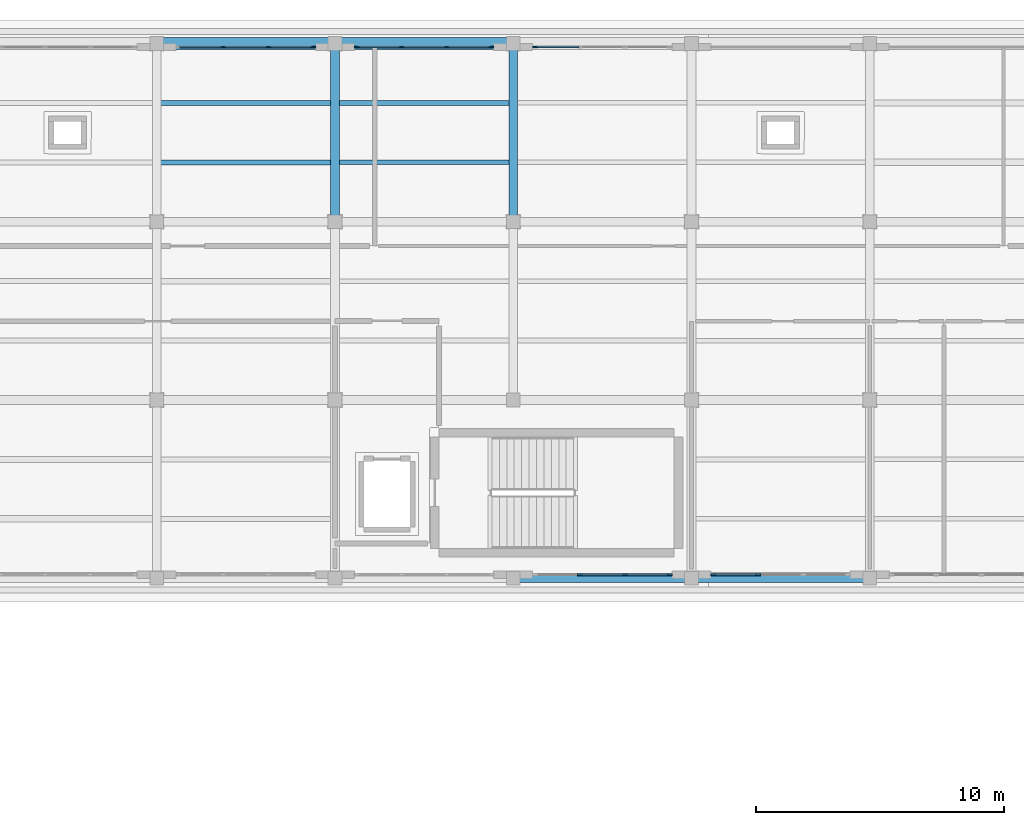
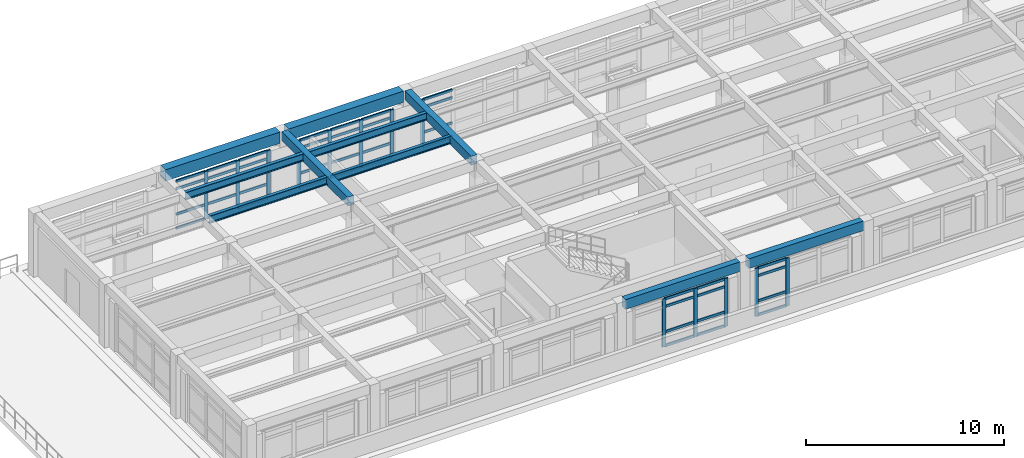
# One storey, part 4 of 21: 53 members, 10 beams, 5 elements without a shape of their own.
"""IFC4 building model written with IfcOpenShell, lengths in metres."""

from ifc_helpers import new_model, si_unit, direction, frame, origin, origin_2d, place, context, subcontext, project, spatial, rectangle, i_section, extrude, material, layer, layer_set, material_profile, profile_set, type_object, element, aggregate, save


model = new_model("IFC4")

# Units and contexts
model_context = context("Model", 3, precision=1e-05, world=origin(), true_north=direction((0.0, 1.0)))
body_context = subcontext(model_context, "Body", "Model", "MODEL_VIEW")
ifc_project = project(units=[si_unit("LENGTHUNIT", "METRE"), si_unit("AREAUNIT", "SQUARE_METRE"), si_unit("VOLUMEUNIT", "CUBIC_METRE"), si_unit("PLANEANGLEUNIT", "RADIAN"), si_unit("MASSUNIT", "GRAM", prefix="KILO")], contexts=[model_context])

# Site, building, storey
site_placement = place(None, origin())
site = spatial("IfcSite", under=ifc_project, at=site_placement, CompositionType="ELEMENT")
building_placement = place(site_placement, origin())
building = spatial("IfcBuilding", under=site, at=building_placement, Name="Solenvale Faculty of Natural Sciences", CompositionType="ELEMENT")
storey_placement = place(building_placement, frame((0.0, 0.0, 31.199951171875)))
storey = spatial("IfcBuildingStorey", under=building, at=storey_placement, Name="L07", CompositionType="ELEMENT", Elevation=31.199951171875)

# Beams
ifc_material_1 = material(Name="Concrete 40 MPa", Category="concrete")
ifc_material_profile_1 = material_profile(ifc_material_1, rectangle(XDim=0.35009765625, YDim=0.550048828125, at=origin_2d()), Name="RC-BM-350x550")
ifc_profile_set_1 = profile_set([ifc_material_profile_1], Name="Concrete 40 MPa")
beam_type_1 = type_object("IfcBeamType", Name="BM-RC-350x550", PredefinedType="BEAM", material=ifc_profile_set_1)
for number, where, z_axis, x_axis, name in (
    (1, (100.800048828125, 108.2548828125, 3.64501953125), (0.0, 1.0, 0.0), (-1.0, 0.0, 0.0), "L07 Y-Girder X100.8 (108.0..115.2)"),
    (2, (108.0, 108.2548828125, 3.64501953125), (0.0, 1.0, 0.0), (-1.0, 0.0, 0.0), "L07 Y-Girder X108.0 (108.0..115.2)"),
):
    element("IfcBeam", number, at=place(storey_placement, frame(where, z_axis=z_axis, x_axis=x_axis)), inside=storey, type_object=beam_type_1, Name=name, PredefinedType="BEAM", context=body_context, shape_type="SweptSolid", body=[
        extrude(rectangle(XDim=0.35009765625, YDim=0.550048828125, at=origin_2d()), origin(), (0.0, 0.0, 1.0), 6.690185546875),
    ])
ifc_material_profile_2 = material_profile(ifc_material_1, rectangle(XDim=0.35009765625, YDim=0.60009765625, at=origin_2d()), Name="RC-BM-350x600")
ifc_profile_set_2 = profile_set([ifc_material_profile_2], Name="Concrete 40 MPa")
beam_type_2 = type_object("IfcBeamType", Name="BM-RC-350x600", PredefinedType="BEAM", material=ifc_profile_set_2)
beam_1_placement = place(storey_placement, frame((108.2548828125, 93.60009765625, 3.6201171875), z_axis=(1.0, 0.0, 0.0), x_axis=(0.0, 1.0, 0.0)))
element("IfcBeam", 3, at=beam_1_placement, inside=storey, type_object=beam_type_2, Name="L07 X-Girder Y93.6 (108.0..115.2)", PredefinedType="BEAM", context=body_context, shape_type="SweptSolid", body=[
    extrude(rectangle(XDim=0.35009765625, YDim=0.60009765625, at=origin_2d()), origin(), (0.0, 0.0, 1.0), 6.690185546875),
])
beam_2_placement = place(storey_placement, frame((115.455078125, 93.60009765625, 3.6201171875), z_axis=(1.0, 0.0, 0.0), x_axis=(0.0, 1.0, 0.0)))
element("IfcBeam", 4, at=beam_2_placement, inside=storey, type_object=beam_type_2, Name="L07 X-Girder Y93.6 (115.2..122.4)", PredefinedType="BEAM", context=body_context, shape_type="SweptSolid", body=[
    extrude(rectangle(XDim=0.35009765625, YDim=0.60009765625, at=origin_2d()), origin(), (0.0, 0.0, 1.0), 6.68994140625),
])
ifc_material_2 = material(Name="Precast concrete 40 MPa", Category="concrete")
ifc_material_profile_3 = material_profile(ifc_material_2, rectangle(XDim=0.5, YDim=0.699951171875, at=origin_2d()), Name="RC-BM-500x700")
ifc_profile_set_3 = profile_set([ifc_material_profile_3], Name="Precast concrete 40 MPa")
beam_type_3 = type_object("IfcBeamType", Name="BM-SPN-PRC-700", PredefinedType="SPANDREL", material=ifc_profile_set_3)
beam_3_placement = place(storey_placement, frame((93.85498046875, 115.199951171875, 3.570068359375), z_axis=(1.0, 0.0, 0.0), x_axis=(0.0, 1.0, 0.0)))
element("IfcBeam", 5, at=beam_3_placement, inside=storey, type_object=beam_type_3, Name="L07 X-Girder Y115.2 (93.6..100.8)", PredefinedType="SPANDREL", context=body_context, shape_type="SweptSolid", body=[
    extrude(rectangle(XDim=0.5, YDim=0.699951171875, at=origin_2d()), origin(), (0.0, 0.0, 1.0), 6.68994140625),
])
beam_4_placement = place(storey_placement, frame((101.054931640625, 115.199951171875, 3.570068359375), z_axis=(1.0, 0.0, 0.0), x_axis=(0.0, 1.0, 0.0)))
element("IfcBeam", 6, at=beam_4_placement, inside=storey, type_object=beam_type_3, Name="L07 X-Girder Y115.2 (100.8..108.0)", PredefinedType="SPANDREL", context=body_context, shape_type="SweptSolid", body=[
    extrude(rectangle(XDim=0.5, YDim=0.699951171875, at=origin_2d()), origin(), (0.0, 0.0, 1.0), 6.690185546875),
])
ifc_material_3 = material(Name="Steel S355", Category="steel")
ifc_material_profile_4 = material_profile(ifc_material_3, i_section(OverallWidth=0.194091796875, OverallDepth=0.468994140625, WebThickness=0.0126953125, FlangeThickness=0.0205078125, FilletRadius=0.01806640625, at=origin_2d()), Name="W460x106")
ifc_profile_set_4 = profile_set([ifc_material_profile_4], Name="Steel S355")
beam_type_4 = type_object("IfcBeamType", Name="BM-STL-W460x106", PredefinedType="JOIST", material=ifc_profile_set_4)
for number, where, z_axis, x_axis, name in (
    (7, (93.7548828125, 110.39990234375, 3.685546875), (1.0, 0.0, 0.0), (0.0, 1.0, 0.0), "L07 Composite Floor Joist (14,16).1"),
    (8, (93.7548828125, 112.800048828125, 3.685546875), (1.0, 0.0, 0.0), (0.0, 1.0, 0.0), "L07 Composite Floor Joist (14,16).2"),
):
    element("IfcBeam", number, at=place(storey_placement, frame(where, z_axis=z_axis, x_axis=x_axis)), inside=storey, type_object=beam_type_4, Name=name, PredefinedType="JOIST", context=body_context, shape_type="SweptSolid", body=[
        extrude(i_section(OverallWidth=0.194091796875, OverallDepth=0.468994140625, WebThickness=0.0126953125, FlangeThickness=0.0205078125, FilletRadius=0.01806640625, at=origin_2d()), origin(), (0.0, 0.0, 1.0), 6.89013671875),
    ])
ifc_material_profile_5 = material_profile(ifc_material_3, i_section(OverallWidth=0.19091796875, OverallDepth=0.4599609375, WebThickness=0.010009765625, FlangeThickness=0.01611328125, FilletRadius=0.01806640625, at=origin_2d()), Name="W460x82")
ifc_profile_set_5 = profile_set([ifc_material_profile_5], Name="Steel S355")
beam_type_5 = type_object("IfcBeamType", Name="BM-STL-W460x82", PredefinedType="JOIST", material=ifc_profile_set_5)
for number, where, z_axis, x_axis, name in (
    (9, (100.955078125, 110.39990234375, 3.68994140625), (1.0, 0.0, 0.0), (0.0, 1.0, 0.0), "L07 Composite Floor Joist (15,16).1"),
    (10, (100.955078125, 112.800048828125, 3.68994140625), (1.0, 0.0, 0.0), (0.0, 1.0, 0.0), "L07 Composite Floor Joist (15,16).2"),
):
    element("IfcBeam", number, at=place(storey_placement, frame(where, z_axis=z_axis, x_axis=x_axis)), inside=storey, type_object=beam_type_5, Name=name, PredefinedType="JOIST", context=body_context, shape_type="SweptSolid", body=[
        extrude(i_section(OverallWidth=0.19091796875, OverallDepth=0.4599609375, WebThickness=0.010009765625, FlangeThickness=0.01611328125, FilletRadius=0.01806640625, at=origin_2d()), origin(), (0.0, 0.0, 1.0), 6.889892578125),
    ])

# Curtain wall, member
ifc_material_4 = material(Name="Anodised bronze aluminium", Category="aluminium")
ifc_layer = layer(ifc_material_4, 0.179931640625)
ifc_layer_set = layer_set([ifc_layer], Name="Anodised bronze aluminium")
curtain_wall_type = type_object("IfcCurtainWallType", Name="CW-TWR-MOD", PredefinedType="USERDEFINED", material=ifc_layer_set)
curtain_wall_1_placement = place(storey_placement, origin())
curtain_wall_1 = element("IfcCurtainWall", 11, at=curtain_wall_1_placement, inside=storey, type_object=curtain_wall_type, Name="L07 Curtain Wall CW-L07-P1-E2-B6", ObjectType="UNITISED CURTAIN WALL", PredefinedType="USERDEFINED")
ifc_material_profile_6 = material_profile(ifc_material_4, rectangle(XDim=0.074951171875, YDim=0.2099609375, at=origin_2d()), Name="ALU-MUL-75x210")
ifc_profile_set_6 = profile_set([ifc_material_profile_6], Name="Anodised bronze aluminium")
member_type_1 = type_object("IfcMemberType", Name="CWM-ALU-75x210", PredefinedType="MULLION", material=ifc_profile_set_6)
member_1_placement = place(storey_placement, frame((108.887451171875, 115.0576171875, 0.0), z_axis=(0.0, 0.0, 1.0), x_axis=(0.0, -1.0, 0.0)))
member_1 = element("IfcMember", 12, at=member_1_placement, type_object=member_type_1, Name="CW-04 mullion 4", PredefinedType="MULLION", context=body_context, shape_type="SweptSolid", body=[
    extrude(rectangle(XDim=0.074951171875, YDim=0.2099609375, at=origin_2d()), origin(), (0.0, 0.0, 1.0), 2.9599609375),
])

# Curtain wall, members
curtain_wall_2_placement = place(storey_placement, origin())
curtain_wall_2 = element("IfcCurtainWall", 13, at=curtain_wall_2_placement, inside=storey, type_object=curtain_wall_type, Name="L07 Curtain Wall CW-L07-P1-E2-B7", ObjectType="UNITISED CURTAIN WALL", PredefinedType="USERDEFINED")
member_2_placement = place(storey_placement, frame((107.112548828125, 115.0576171875, 0.0), z_axis=(0.0, 0.0, 1.0), x_axis=(0.0, -1.0, 0.0)))
member_2 = element("IfcMember", 14, at=member_2_placement, type_object=member_type_1, Name="CW-04 mullion 1", PredefinedType="MULLION", context=body_context, shape_type="SweptSolid", body=[
    extrude(rectangle(XDim=0.074951171875, YDim=0.2099609375, at=origin_2d()), origin(), (0.0, 0.0, 1.0), 2.9599609375),
])
member_3_placement = place(storey_placement, frame((105.316650390625, 115.0576171875, 0.0), z_axis=(0.0, 0.0, 1.0), x_axis=(0.0, -1.0, 0.0)))
member_3 = element("IfcMember", 15, at=member_3_placement, type_object=member_type_1, Name="CW-04 mullion 2", PredefinedType="MULLION", context=body_context, shape_type="SweptSolid", body=[
    extrude(rectangle(XDim=0.074951171875, YDim=0.2099609375, at=origin_2d()), origin(), (0.0, 0.0, 1.0), 2.9599609375),
])
member_4_placement = place(storey_placement, frame((103.4833984375, 115.0576171875, 0.0), z_axis=(0.0, 0.0, 1.0), x_axis=(0.0, -1.0, 0.0)))
member_4 = element("IfcMember", 16, at=member_4_placement, type_object=member_type_1, Name="CW-04 mullion 3", PredefinedType="MULLION", context=body_context, shape_type="SweptSolid", body=[
    extrude(rectangle(XDim=0.074951171875, YDim=0.2099609375, at=origin_2d()), origin(), (0.0, 0.0, 1.0), 2.9599609375),
])
member_5_placement = place(storey_placement, frame((101.6875, 115.0576171875, 0.0), z_axis=(0.0, 0.0, 1.0), x_axis=(0.0, -1.0, 0.0)))
member_5 = element("IfcMember", 17, at=member_5_placement, type_object=member_type_1, Name="CW-04 mullion 4", PredefinedType="MULLION", context=body_context, shape_type="SweptSolid", body=[
    extrude(rectangle(XDim=0.074951171875, YDim=0.2099609375, at=origin_2d()), origin(), (0.0, 0.0, 1.0), 2.9599609375),
])

curtain_wall_3_placement = place(storey_placement, origin())
curtain_wall_3 = element("IfcCurtainWall", 18, at=curtain_wall_3_placement, inside=storey, type_object=curtain_wall_type, Name="L07 Curtain Wall CW-L07-P1-E2-B8", ObjectType="UNITISED CURTAIN WALL", PredefinedType="USERDEFINED")
member_6_placement = place(storey_placement, frame((99.91259765625, 115.0576171875, 0.0), z_axis=(0.0, 0.0, 1.0), x_axis=(0.0, -1.0, 0.0)))
member_6 = element("IfcMember", 19, at=member_6_placement, type_object=member_type_1, Name="CW-04 mullion 1", PredefinedType="MULLION", context=body_context, shape_type="SweptSolid", body=[
    extrude(rectangle(XDim=0.074951171875, YDim=0.2099609375, at=origin_2d()), origin(), (0.0, 0.0, 1.0), 2.9599609375),
])
member_7_placement = place(storey_placement, frame((98.11669921875, 115.0576171875, 0.0), z_axis=(0.0, 0.0, 1.0), x_axis=(0.0, -1.0, 0.0)))
member_7 = element("IfcMember", 20, at=member_7_placement, type_object=member_type_1, Name="CW-04 mullion 2", PredefinedType="MULLION", context=body_context, shape_type="SweptSolid", body=[
    extrude(rectangle(XDim=0.074951171875, YDim=0.2099609375, at=origin_2d()), origin(), (0.0, 0.0, 1.0), 2.9599609375),
])
member_8_placement = place(storey_placement, frame((96.283447265625, 115.0576171875, 0.0), z_axis=(0.0, 0.0, 1.0), x_axis=(0.0, -1.0, 0.0)))
member_8 = element("IfcMember", 21, at=member_8_placement, type_object=member_type_1, Name="CW-04 mullion 3", PredefinedType="MULLION", context=body_context, shape_type="SweptSolid", body=[
    extrude(rectangle(XDim=0.074951171875, YDim=0.2099609375, at=origin_2d()), origin(), (0.0, 0.0, 1.0), 2.9599609375),
])

curtain_wall_4_placement = place(storey_placement, origin())
curtain_wall_4 = element("IfcCurtainWall", 22, at=curtain_wall_4_placement, inside=storey, type_object=curtain_wall_type, Name="L07 Curtain Wall CW-L07-P1-E4-B4", ObjectType="UNITISED CURTAIN WALL", PredefinedType="USERDEFINED")
member_9_placement = place(storey_placement, frame((110.683349609375, 93.742431640625, 0.0), z_axis=(0.0, 0.0, 1.0), x_axis=(0.0, 1.0, 0.0)))
member_9 = element("IfcMember", 23, at=member_9_placement, type_object=member_type_1, Name="CW-04 mullion 2", PredefinedType="MULLION", context=body_context, shape_type="SweptSolid", body=[
    extrude(rectangle(XDim=0.074951171875, YDim=0.2099609375, at=origin_2d()), origin(), (0.0, 0.0, 1.0), 2.9599609375),
])
member_10_placement = place(storey_placement, frame((112.5166015625, 93.742431640625, 0.0), z_axis=(0.0, 0.0, 1.0), x_axis=(0.0, 1.0, 0.0)))
member_10 = element("IfcMember", 24, at=member_10_placement, type_object=member_type_1, Name="CW-04 mullion 3", PredefinedType="MULLION", context=body_context, shape_type="SweptSolid", body=[
    extrude(rectangle(XDim=0.074951171875, YDim=0.2099609375, at=origin_2d()), origin(), (0.0, 0.0, 1.0), 2.9599609375),
])
member_11_placement = place(storey_placement, frame((114.3125, 93.742431640625, 0.0), z_axis=(0.0, 0.0, 1.0), x_axis=(0.0, 1.0, 0.0)))
member_11 = element("IfcMember", 25, at=member_11_placement, type_object=member_type_1, Name="CW-04 mullion 4", PredefinedType="MULLION", context=body_context, shape_type="SweptSolid", body=[
    extrude(rectangle(XDim=0.074951171875, YDim=0.2099609375, at=origin_2d()), origin(), (0.0, 0.0, 1.0), 2.9599609375),
])

curtain_wall_5_placement = place(storey_placement, origin())
curtain_wall_5 = element("IfcCurtainWall", 26, at=curtain_wall_5_placement, inside=storey, type_object=curtain_wall_type, Name="L07 Curtain Wall CW-L07-P1-E4-B5", ObjectType="UNITISED CURTAIN WALL", PredefinedType="USERDEFINED")
member_12_placement = place(storey_placement, frame((116.08740234375, 93.742431640625, 0.0), z_axis=(0.0, 0.0, 1.0), x_axis=(0.0, 1.0, 0.0)))
member_12 = element("IfcMember", 27, at=member_12_placement, type_object=member_type_1, Name="CW-04 mullion 1", PredefinedType="MULLION", context=body_context, shape_type="SweptSolid", body=[
    extrude(rectangle(XDim=0.074951171875, YDim=0.2099609375, at=origin_2d()), origin(), (0.0, 0.0, 1.0), 2.9599609375),
])
member_13_placement = place(storey_placement, frame((117.88330078125, 93.742431640625, 0.0), z_axis=(0.0, 0.0, 1.0), x_axis=(0.0, 1.0, 0.0)))
member_13 = element("IfcMember", 28, at=member_13_placement, type_object=member_type_1, Name="CW-04 mullion 2", PredefinedType="MULLION", context=body_context, shape_type="SweptSolid", body=[
    extrude(rectangle(XDim=0.074951171875, YDim=0.2099609375, at=origin_2d()), origin(), (0.0, 0.0, 1.0), 2.9599609375),
])

# Member
ifc_material_profile_7 = material_profile(ifc_material_4, rectangle(XDim=0.074951171875, YDim=0.155029296875, at=origin_2d()), Name="ALU-TRN-75x155")
ifc_profile_set_7 = profile_set([ifc_material_profile_7], Name="Anodised bronze aluminium")
member_type_2 = type_object("IfcMemberType", Name="CWT-ALU-75x155", PredefinedType="USERDEFINED", material=ifc_profile_set_7)
member_14_placement = place(storey_placement, frame((110.645751953125, 115.0576171875, 0.03759765625), z_axis=(-1.0, 0.0, 0.0), x_axis=(0.0, -1.0, 0.0)))
member_14 = element("IfcMember", 29, at=member_14_placement, type_object=member_type_2, Name="CW-04 transom 3.1", ObjectType="TRANSOM", PredefinedType="USERDEFINED", context=body_context, shape_type="SweptSolid", body=[
    extrude(rectangle(XDim=0.074951171875, YDim=0.155029296875, at=origin_2d()), origin(), (0.0, 0.0, 1.0), 1.720703125),
])

member_15_placement = place(storey_placement, frame((110.645751953125, 115.0576171875, 0.900146484375), z_axis=(-1.0, 0.0, 0.0), x_axis=(0.0, -1.0, 0.0)))
member_15 = element("IfcMember", 30, at=member_15_placement, type_object=member_type_2, Name="CW-04 transom 3.2", ObjectType="TRANSOM", PredefinedType="USERDEFINED", context=body_context, shape_type="SweptSolid", body=[
    extrude(rectangle(XDim=0.074951171875, YDim=0.155029296875, at=origin_2d()), origin(), (0.0, 0.0, 1.0), 1.720703125),
])

member_16_placement = place(storey_placement, frame((110.645751953125, 115.0576171875, 2.4599609375), z_axis=(-1.0, 0.0, 0.0), x_axis=(0.0, -1.0, 0.0)))
member_16 = element("IfcMember", 31, at=member_16_placement, type_object=member_type_2, Name="CW-04 transom 3.3", ObjectType="TRANSOM", PredefinedType="USERDEFINED", context=body_context, shape_type="SweptSolid", body=[
    extrude(rectangle(XDim=0.074951171875, YDim=0.155029296875, at=origin_2d()), origin(), (0.0, 0.0, 1.0), 1.720703125),
])

member_17_placement = place(storey_placement, frame((110.645751953125, 115.0576171875, 2.922607421875), z_axis=(-1.0, 0.0, 0.0), x_axis=(0.0, -1.0, 0.0)))
member_17 = element("IfcMember", 32, at=member_17_placement, type_object=member_type_2, Name="CW-04 transom 3.4", ObjectType="TRANSOM", PredefinedType="USERDEFINED", context=body_context, shape_type="SweptSolid", body=[
    extrude(rectangle(XDim=0.074951171875, YDim=0.155029296875, at=origin_2d()), origin(), (0.0, 0.0, 1.0), 1.720703125),
])

aggregate(curtain_wall_1, [member_1, member_14, member_15, member_16, member_17])

member_18_placement = place(storey_placement, frame((107.074951171875, 115.0576171875, 0.03759765625), z_axis=(-1.0, 0.0, 0.0), x_axis=(0.0, -1.0, 0.0)))
member_18 = element("IfcMember", 33, at=member_18_placement, type_object=member_type_2, Name="CW-04 transom 1.1", ObjectType="TRANSOM", PredefinedType="USERDEFINED", context=body_context, shape_type="SweptSolid", body=[
    extrude(rectangle(XDim=0.074951171875, YDim=0.155029296875, at=origin_2d()), origin(), (0.0, 0.0, 1.0), 1.720703125),
])

member_19_placement = place(storey_placement, frame((107.074951171875, 115.0576171875, 0.900146484375), z_axis=(-1.0, 0.0, 0.0), x_axis=(0.0, -1.0, 0.0)))
member_19 = element("IfcMember", 34, at=member_19_placement, type_object=member_type_2, Name="CW-04 transom 1.2", ObjectType="TRANSOM", PredefinedType="USERDEFINED", context=body_context, shape_type="SweptSolid", body=[
    extrude(rectangle(XDim=0.074951171875, YDim=0.155029296875, at=origin_2d()), origin(), (0.0, 0.0, 1.0), 1.720703125),
])

member_20_placement = place(storey_placement, frame((107.074951171875, 115.0576171875, 2.4599609375), z_axis=(-1.0, 0.0, 0.0), x_axis=(0.0, -1.0, 0.0)))
member_20 = element("IfcMember", 35, at=member_20_placement, type_object=member_type_2, Name="CW-04 transom 1.3", ObjectType="TRANSOM", PredefinedType="USERDEFINED", context=body_context, shape_type="SweptSolid", body=[
    extrude(rectangle(XDim=0.074951171875, YDim=0.155029296875, at=origin_2d()), origin(), (0.0, 0.0, 1.0), 1.720703125),
])

member_21_placement = place(storey_placement, frame((107.074951171875, 115.0576171875, 2.922607421875), z_axis=(-1.0, 0.0, 0.0), x_axis=(0.0, -1.0, 0.0)))
member_21 = element("IfcMember", 36, at=member_21_placement, type_object=member_type_2, Name="CW-04 transom 1.4", ObjectType="TRANSOM", PredefinedType="USERDEFINED", context=body_context, shape_type="SweptSolid", body=[
    extrude(rectangle(XDim=0.074951171875, YDim=0.155029296875, at=origin_2d()), origin(), (0.0, 0.0, 1.0), 1.720703125),
])

member_22_placement = place(storey_placement, frame((105.279052734375, 115.0576171875, 0.03759765625), z_axis=(-1.0, 0.0, 0.0), x_axis=(0.0, -1.0, 0.0)))
member_22 = element("IfcMember", 37, at=member_22_placement, type_object=member_type_2, Name="CW-04 transom 2.1", ObjectType="TRANSOM", PredefinedType="USERDEFINED", context=body_context, shape_type="SweptSolid", body=[
    extrude(rectangle(XDim=0.074951171875, YDim=0.155029296875, at=origin_2d()), origin(), (0.0, 0.0, 1.0), 1.75830078125),
])

member_23_placement = place(storey_placement, frame((105.279052734375, 115.0576171875, 0.900146484375), z_axis=(-1.0, 0.0, 0.0), x_axis=(0.0, -1.0, 0.0)))
member_23 = element("IfcMember", 38, at=member_23_placement, type_object=member_type_2, Name="CW-04 transom 2.2", ObjectType="TRANSOM", PredefinedType="USERDEFINED", context=body_context, shape_type="SweptSolid", body=[
    extrude(rectangle(XDim=0.074951171875, YDim=0.155029296875, at=origin_2d()), origin(), (0.0, 0.0, 1.0), 1.75830078125),
])

member_24_placement = place(storey_placement, frame((105.279052734375, 115.0576171875, 2.4599609375), z_axis=(-1.0, 0.0, 0.0), x_axis=(0.0, -1.0, 0.0)))
member_24 = element("IfcMember", 39, at=member_24_placement, type_object=member_type_2, Name="CW-04 transom 2.3", ObjectType="TRANSOM", PredefinedType="USERDEFINED", context=body_context, shape_type="SweptSolid", body=[
    extrude(rectangle(XDim=0.074951171875, YDim=0.155029296875, at=origin_2d()), origin(), (0.0, 0.0, 1.0), 1.75830078125),
])

member_25_placement = place(storey_placement, frame((105.279052734375, 115.0576171875, 2.922607421875), z_axis=(-1.0, 0.0, 0.0), x_axis=(0.0, -1.0, 0.0)))
member_25 = element("IfcMember", 40, at=member_25_placement, type_object=member_type_2, Name="CW-04 transom 2.4", ObjectType="TRANSOM", PredefinedType="USERDEFINED", context=body_context, shape_type="SweptSolid", body=[
    extrude(rectangle(XDim=0.074951171875, YDim=0.155029296875, at=origin_2d()), origin(), (0.0, 0.0, 1.0), 1.75830078125),
])

member_26_placement = place(storey_placement, frame((103.44580078125, 115.0576171875, 0.03759765625), z_axis=(-1.0, 0.0, 0.0), x_axis=(0.0, -1.0, 0.0)))
member_26 = element("IfcMember", 41, at=member_26_placement, type_object=member_type_2, Name="CW-04 transom 3.1", ObjectType="TRANSOM", PredefinedType="USERDEFINED", context=body_context, shape_type="SweptSolid", body=[
    extrude(rectangle(XDim=0.074951171875, YDim=0.155029296875, at=origin_2d()), origin(), (0.0, 0.0, 1.0), 1.720703125),
])

member_27_placement = place(storey_placement, frame((103.44580078125, 115.0576171875, 0.900146484375), z_axis=(-1.0, 0.0, 0.0), x_axis=(0.0, -1.0, 0.0)))
member_27 = element("IfcMember", 42, at=member_27_placement, type_object=member_type_2, Name="CW-04 transom 3.2", ObjectType="TRANSOM", PredefinedType="USERDEFINED", context=body_context, shape_type="SweptSolid", body=[
    extrude(rectangle(XDim=0.074951171875, YDim=0.155029296875, at=origin_2d()), origin(), (0.0, 0.0, 1.0), 1.720703125),
])

member_28_placement = place(storey_placement, frame((103.44580078125, 115.0576171875, 2.4599609375), z_axis=(-1.0, 0.0, 0.0), x_axis=(0.0, -1.0, 0.0)))
member_28 = element("IfcMember", 43, at=member_28_placement, type_object=member_type_2, Name="CW-04 transom 3.3", ObjectType="TRANSOM", PredefinedType="USERDEFINED", context=body_context, shape_type="SweptSolid", body=[
    extrude(rectangle(XDim=0.074951171875, YDim=0.155029296875, at=origin_2d()), origin(), (0.0, 0.0, 1.0), 1.720703125),
])

member_29_placement = place(storey_placement, frame((103.44580078125, 115.0576171875, 2.922607421875), z_axis=(-1.0, 0.0, 0.0), x_axis=(0.0, -1.0, 0.0)))
member_29 = element("IfcMember", 44, at=member_29_placement, type_object=member_type_2, Name="CW-04 transom 3.4", ObjectType="TRANSOM", PredefinedType="USERDEFINED", context=body_context, shape_type="SweptSolid", body=[
    extrude(rectangle(XDim=0.074951171875, YDim=0.155029296875, at=origin_2d()), origin(), (0.0, 0.0, 1.0), 1.720703125),
])

aggregate(curtain_wall_2, [member_2, member_3, member_4, member_5, member_18, member_19, member_20, member_21, member_22, member_23, member_24, member_25, member_26, member_27, member_28, member_29])

member_30_placement = place(storey_placement, frame((99.875, 115.0576171875, 0.03759765625), z_axis=(-1.0, 0.0, 0.0), x_axis=(0.0, -1.0, 0.0)))
member_30 = element("IfcMember", 45, at=member_30_placement, type_object=member_type_2, Name="CW-04 transom 1.1", ObjectType="TRANSOM", PredefinedType="USERDEFINED", context=body_context, shape_type="SweptSolid", body=[
    extrude(rectangle(XDim=0.074951171875, YDim=0.155029296875, at=origin_2d()), origin(), (0.0, 0.0, 1.0), 1.720947265625),
])

member_31_placement = place(storey_placement, frame((99.875, 115.0576171875, 0.900146484375), z_axis=(-1.0, 0.0, 0.0), x_axis=(0.0, -1.0, 0.0)))
member_31 = element("IfcMember", 46, at=member_31_placement, type_object=member_type_2, Name="CW-04 transom 1.2", ObjectType="TRANSOM", PredefinedType="USERDEFINED", context=body_context, shape_type="SweptSolid", body=[
    extrude(rectangle(XDim=0.074951171875, YDim=0.155029296875, at=origin_2d()), origin(), (0.0, 0.0, 1.0), 1.720947265625),
])

member_32_placement = place(storey_placement, frame((99.875, 115.0576171875, 2.4599609375), z_axis=(-1.0, 0.0, 0.0), x_axis=(0.0, -1.0, 0.0)))
member_32 = element("IfcMember", 47, at=member_32_placement, type_object=member_type_2, Name="CW-04 transom 1.3", ObjectType="TRANSOM", PredefinedType="USERDEFINED", context=body_context, shape_type="SweptSolid", body=[
    extrude(rectangle(XDim=0.074951171875, YDim=0.155029296875, at=origin_2d()), origin(), (0.0, 0.0, 1.0), 1.720947265625),
])

member_33_placement = place(storey_placement, frame((99.875, 115.0576171875, 2.922607421875), z_axis=(-1.0, 0.0, 0.0), x_axis=(0.0, -1.0, 0.0)))
member_33 = element("IfcMember", 48, at=member_33_placement, type_object=member_type_2, Name="CW-04 transom 1.4", ObjectType="TRANSOM", PredefinedType="USERDEFINED", context=body_context, shape_type="SweptSolid", body=[
    extrude(rectangle(XDim=0.074951171875, YDim=0.155029296875, at=origin_2d()), origin(), (0.0, 0.0, 1.0), 1.720947265625),
])

member_34_placement = place(storey_placement, frame((98.0791015625, 115.0576171875, 0.03759765625), z_axis=(-1.0, 0.0, 0.0), x_axis=(0.0, -1.0, 0.0)))
member_34 = element("IfcMember", 49, at=member_34_placement, type_object=member_type_2, Name="CW-04 transom 2.1", ObjectType="TRANSOM", PredefinedType="USERDEFINED", context=body_context, shape_type="SweptSolid", body=[
    extrude(rectangle(XDim=0.074951171875, YDim=0.155029296875, at=origin_2d()), origin(), (0.0, 0.0, 1.0), 1.75830078125),
])

member_35_placement = place(storey_placement, frame((98.0791015625, 115.0576171875, 0.900146484375), z_axis=(-1.0, 0.0, 0.0), x_axis=(0.0, -1.0, 0.0)))
member_35 = element("IfcMember", 50, at=member_35_placement, type_object=member_type_2, Name="CW-04 transom 2.2", ObjectType="TRANSOM", PredefinedType="USERDEFINED", context=body_context, shape_type="SweptSolid", body=[
    extrude(rectangle(XDim=0.074951171875, YDim=0.155029296875, at=origin_2d()), origin(), (0.0, 0.0, 1.0), 1.75830078125),
])

member_36_placement = place(storey_placement, frame((98.0791015625, 115.0576171875, 2.4599609375), z_axis=(-1.0, 0.0, 0.0), x_axis=(0.0, -1.0, 0.0)))
member_36 = element("IfcMember", 51, at=member_36_placement, type_object=member_type_2, Name="CW-04 transom 2.3", ObjectType="TRANSOM", PredefinedType="USERDEFINED", context=body_context, shape_type="SweptSolid", body=[
    extrude(rectangle(XDim=0.074951171875, YDim=0.155029296875, at=origin_2d()), origin(), (0.0, 0.0, 1.0), 1.75830078125),
])

member_37_placement = place(storey_placement, frame((98.0791015625, 115.0576171875, 2.922607421875), z_axis=(-1.0, 0.0, 0.0), x_axis=(0.0, -1.0, 0.0)))
member_37 = element("IfcMember", 52, at=member_37_placement, type_object=member_type_2, Name="CW-04 transom 2.4", ObjectType="TRANSOM", PredefinedType="USERDEFINED", context=body_context, shape_type="SweptSolid", body=[
    extrude(rectangle(XDim=0.074951171875, YDim=0.155029296875, at=origin_2d()), origin(), (0.0, 0.0, 1.0), 1.75830078125),
])

member_38_placement = place(storey_placement, frame((96.245849609375, 115.0576171875, 0.03759765625), z_axis=(-1.0, 0.0, 0.0), x_axis=(0.0, -1.0, 0.0)))
member_38 = element("IfcMember", 53, at=member_38_placement, type_object=member_type_2, Name="CW-04 transom 3.1", ObjectType="TRANSOM", PredefinedType="USERDEFINED", context=body_context, shape_type="SweptSolid", body=[
    extrude(rectangle(XDim=0.074951171875, YDim=0.155029296875, at=origin_2d()), origin(), (0.0, 0.0, 1.0), 1.720947265625),
])

member_39_placement = place(storey_placement, frame((96.245849609375, 115.0576171875, 0.900146484375), z_axis=(-1.0, 0.0, 0.0), x_axis=(0.0, -1.0, 0.0)))
member_39 = element("IfcMember", 54, at=member_39_placement, type_object=member_type_2, Name="CW-04 transom 3.2", ObjectType="TRANSOM", PredefinedType="USERDEFINED", context=body_context, shape_type="SweptSolid", body=[
    extrude(rectangle(XDim=0.074951171875, YDim=0.155029296875, at=origin_2d()), origin(), (0.0, 0.0, 1.0), 1.720947265625),
])

member_40_placement = place(storey_placement, frame((96.245849609375, 115.0576171875, 2.4599609375), z_axis=(-1.0, 0.0, 0.0), x_axis=(0.0, -1.0, 0.0)))
member_40 = element("IfcMember", 55, at=member_40_placement, type_object=member_type_2, Name="CW-04 transom 3.3", ObjectType="TRANSOM", PredefinedType="USERDEFINED", context=body_context, shape_type="SweptSolid", body=[
    extrude(rectangle(XDim=0.074951171875, YDim=0.155029296875, at=origin_2d()), origin(), (0.0, 0.0, 1.0), 1.720947265625),
])

member_41_placement = place(storey_placement, frame((96.245849609375, 115.0576171875, 2.922607421875), z_axis=(-1.0, 0.0, 0.0), x_axis=(0.0, -1.0, 0.0)))
member_41 = element("IfcMember", 56, at=member_41_placement, type_object=member_type_2, Name="CW-04 transom 3.4", ObjectType="TRANSOM", PredefinedType="USERDEFINED", context=body_context, shape_type="SweptSolid", body=[
    extrude(rectangle(XDim=0.074951171875, YDim=0.155029296875, at=origin_2d()), origin(), (0.0, 0.0, 1.0), 1.720947265625),
])

aggregate(curtain_wall_3, [member_6, member_7, member_8, member_30, member_31, member_32, member_33, member_34, member_35, member_36, member_37, member_38, member_39, member_40, member_41])

member_42_placement = place(storey_placement, frame((110.720947265625, 93.742431640625, 0.03759765625), z_axis=(1.0, 0.0, 0.0), x_axis=(0.0, 1.0, 0.0)))
member_42 = element("IfcMember", 57, at=member_42_placement, type_object=member_type_2, Name="CW-04 transom 2.1", ObjectType="TRANSOM", PredefinedType="USERDEFINED", context=body_context, shape_type="SweptSolid", body=[
    extrude(rectangle(XDim=0.074951171875, YDim=0.155029296875, at=origin_2d()), origin(), (0.0, 0.0, 1.0), 1.75830078125),
])

member_43_placement = place(storey_placement, frame((110.720947265625, 93.742431640625, 0.900146484375), z_axis=(1.0, 0.0, 0.0), x_axis=(0.0, 1.0, 0.0)))
member_43 = element("IfcMember", 58, at=member_43_placement, type_object=member_type_2, Name="CW-04 transom 2.2", ObjectType="TRANSOM", PredefinedType="USERDEFINED", context=body_context, shape_type="SweptSolid", body=[
    extrude(rectangle(XDim=0.074951171875, YDim=0.155029296875, at=origin_2d()), origin(), (0.0, 0.0, 1.0), 1.75830078125),
])

member_44_placement = place(storey_placement, frame((110.720947265625, 93.742431640625, 2.4599609375), z_axis=(1.0, 0.0, 0.0), x_axis=(0.0, 1.0, 0.0)))
member_44 = element("IfcMember", 59, at=member_44_placement, type_object=member_type_2, Name="CW-04 transom 2.3", ObjectType="TRANSOM", PredefinedType="USERDEFINED", context=body_context, shape_type="SweptSolid", body=[
    extrude(rectangle(XDim=0.074951171875, YDim=0.155029296875, at=origin_2d()), origin(), (0.0, 0.0, 1.0), 1.75830078125),
])

member_45_placement = place(storey_placement, frame((110.720947265625, 93.742431640625, 2.922607421875), z_axis=(1.0, 0.0, 0.0), x_axis=(0.0, 1.0, 0.0)))
member_45 = element("IfcMember", 60, at=member_45_placement, type_object=member_type_2, Name="CW-04 transom 2.4", ObjectType="TRANSOM", PredefinedType="USERDEFINED", context=body_context, shape_type="SweptSolid", body=[
    extrude(rectangle(XDim=0.074951171875, YDim=0.155029296875, at=origin_2d()), origin(), (0.0, 0.0, 1.0), 1.75830078125),
])

member_46_placement = place(storey_placement, frame((112.55419921875, 93.742431640625, 0.03759765625), z_axis=(1.0, 0.0, 0.0), x_axis=(0.0, 1.0, 0.0)))
member_46 = element("IfcMember", 61, at=member_46_placement, type_object=member_type_2, Name="CW-04 transom 3.1", ObjectType="TRANSOM", PredefinedType="USERDEFINED", context=body_context, shape_type="SweptSolid", body=[
    extrude(rectangle(XDim=0.074951171875, YDim=0.155029296875, at=origin_2d()), origin(), (0.0, 0.0, 1.0), 1.720703125),
])

member_47_placement = place(storey_placement, frame((112.55419921875, 93.742431640625, 0.900146484375), z_axis=(1.0, 0.0, 0.0), x_axis=(0.0, 1.0, 0.0)))
member_47 = element("IfcMember", 62, at=member_47_placement, type_object=member_type_2, Name="CW-04 transom 3.2", ObjectType="TRANSOM", PredefinedType="USERDEFINED", context=body_context, shape_type="SweptSolid", body=[
    extrude(rectangle(XDim=0.074951171875, YDim=0.155029296875, at=origin_2d()), origin(), (0.0, 0.0, 1.0), 1.720703125),
])

member_48_placement = place(storey_placement, frame((112.55419921875, 93.742431640625, 2.4599609375), z_axis=(1.0, 0.0, 0.0), x_axis=(0.0, 1.0, 0.0)))
member_48 = element("IfcMember", 63, at=member_48_placement, type_object=member_type_2, Name="CW-04 transom 3.3", ObjectType="TRANSOM", PredefinedType="USERDEFINED", context=body_context, shape_type="SweptSolid", body=[
    extrude(rectangle(XDim=0.074951171875, YDim=0.155029296875, at=origin_2d()), origin(), (0.0, 0.0, 1.0), 1.720703125),
])

member_49_placement = place(storey_placement, frame((112.55419921875, 93.742431640625, 2.922607421875), z_axis=(1.0, 0.0, 0.0), x_axis=(0.0, 1.0, 0.0)))
member_49 = element("IfcMember", 64, at=member_49_placement, type_object=member_type_2, Name="CW-04 transom 3.4", ObjectType="TRANSOM", PredefinedType="USERDEFINED", context=body_context, shape_type="SweptSolid", body=[
    extrude(rectangle(XDim=0.074951171875, YDim=0.155029296875, at=origin_2d()), origin(), (0.0, 0.0, 1.0), 1.720703125),
])

aggregate(curtain_wall_4, [member_9, member_10, member_11, member_42, member_43, member_44, member_45, member_46, member_47, member_48, member_49])

member_50_placement = place(storey_placement, frame((116.125, 93.742431640625, 0.03759765625), z_axis=(1.0, 0.0, 0.0), x_axis=(0.0, 1.0, 0.0)))
member_50 = element("IfcMember", 65, at=member_50_placement, type_object=member_type_2, Name="CW-04 transom 1.1", ObjectType="TRANSOM", PredefinedType="USERDEFINED", context=body_context, shape_type="SweptSolid", body=[
    extrude(rectangle(XDim=0.074951171875, YDim=0.155029296875, at=origin_2d()), origin(), (0.0, 0.0, 1.0), 1.720947265625),
])

member_51_placement = place(storey_placement, frame((116.125, 93.742431640625, 0.900146484375), z_axis=(1.0, 0.0, 0.0), x_axis=(0.0, 1.0, 0.0)))
member_51 = element("IfcMember", 66, at=member_51_placement, type_object=member_type_2, Name="CW-04 transom 1.2", ObjectType="TRANSOM", PredefinedType="USERDEFINED", context=body_context, shape_type="SweptSolid", body=[
    extrude(rectangle(XDim=0.074951171875, YDim=0.155029296875, at=origin_2d()), origin(), (0.0, 0.0, 1.0), 1.720947265625),
])

member_52_placement = place(storey_placement, frame((116.125, 93.742431640625, 2.4599609375), z_axis=(1.0, 0.0, 0.0), x_axis=(0.0, 1.0, 0.0)))
member_52 = element("IfcMember", 67, at=member_52_placement, type_object=member_type_2, Name="CW-04 transom 1.3", ObjectType="TRANSOM", PredefinedType="USERDEFINED", context=body_context, shape_type="SweptSolid", body=[
    extrude(rectangle(XDim=0.074951171875, YDim=0.155029296875, at=origin_2d()), origin(), (0.0, 0.0, 1.0), 1.720947265625),
])

member_53_placement = place(storey_placement, frame((116.125, 93.742431640625, 2.922607421875), z_axis=(1.0, 0.0, 0.0), x_axis=(0.0, 1.0, 0.0)))
member_53 = element("IfcMember", 68, at=member_53_placement, type_object=member_type_2, Name="CW-04 transom 1.4", ObjectType="TRANSOM", PredefinedType="USERDEFINED", context=body_context, shape_type="SweptSolid", body=[
    extrude(rectangle(XDim=0.074951171875, YDim=0.155029296875, at=origin_2d()), origin(), (0.0, 0.0, 1.0), 1.720947265625),
])

aggregate(curtain_wall_5, [member_12, member_13, member_50, member_51, member_52, member_53])

save(model, "model.ifc")
